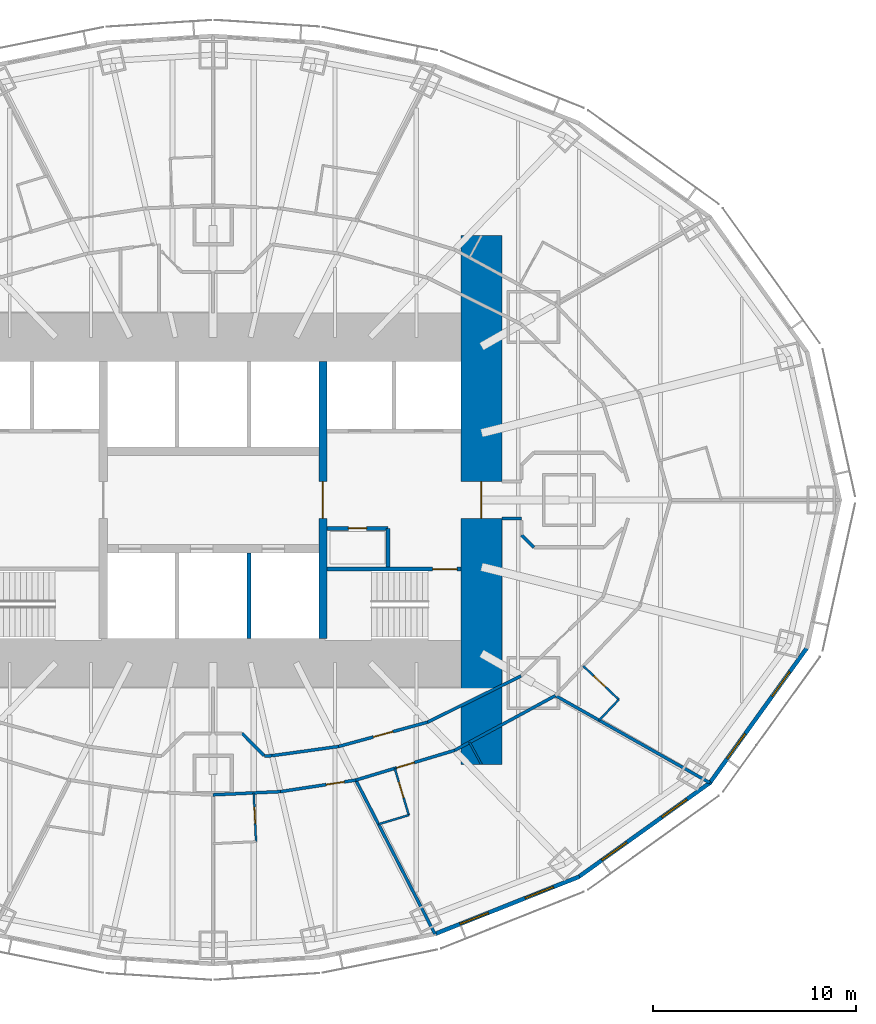
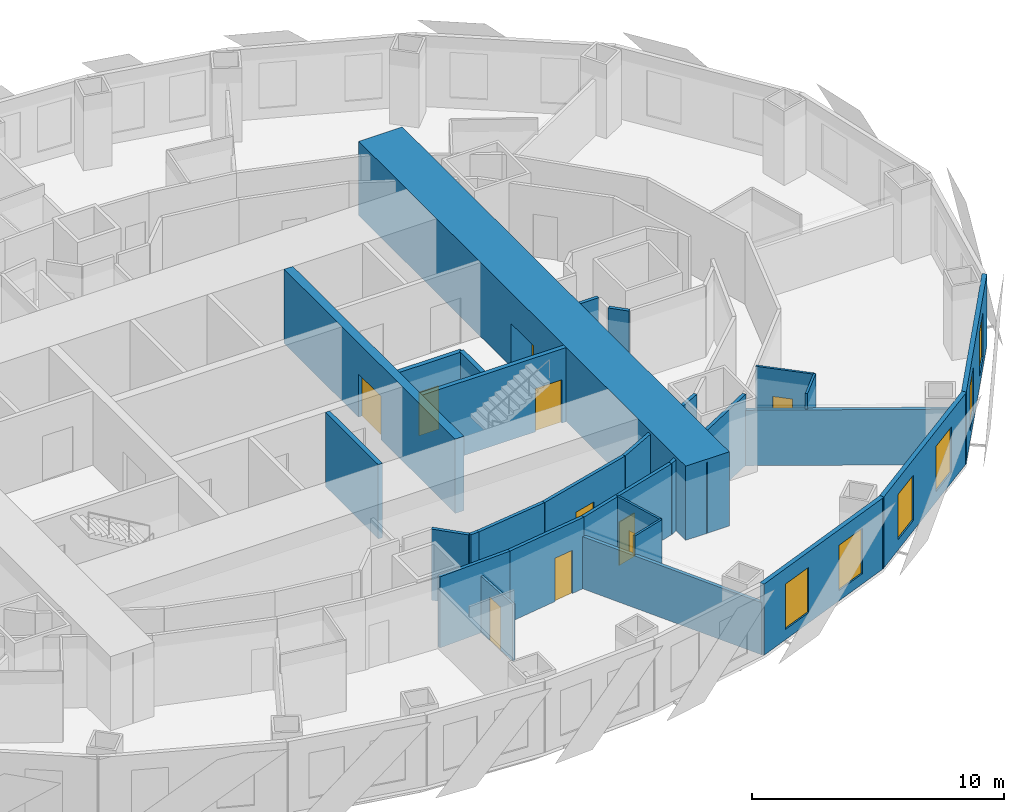
# One storey, part 7 of 15: 28 walls, 10 doors, 6 windows, 16 openings.
"""IFC4 building model written with IfcOpenShell, lengths in metres."""

from ifc_helpers import new_model, si_unit, direction, frame, frame_2d, origin, place, context, subcontext, project, spatial, rectangle, extrude, material, layer, layer_set, type_object, element, fill, save


model = new_model("IFC4")

# Units and contexts
model_context = context("Model", 3, precision=1e-05, world=origin(), true_north=direction((0.0, 1.0)))
body_context = subcontext(model_context, "Body", "Model", "MODEL_VIEW")
ifc_project = project(units=[si_unit("LENGTHUNIT", "METRE"), si_unit("AREAUNIT", "SQUARE_METRE"), si_unit("VOLUMEUNIT", "CUBIC_METRE"), si_unit("PLANEANGLEUNIT", "RADIAN"), si_unit("MASSUNIT", "GRAM", prefix="KILO")], contexts=[model_context])

# Site, building, storey
site_placement = place(None, origin())
site = spatial("IfcSite", under=ifc_project, at=site_placement, CompositionType="ELEMENT")
building_placement = place(site_placement, origin())
building = spatial("IfcBuilding", under=site, at=building_placement, Name="Lantaw Convention Tower", CompositionType="ELEMENT")
storey_placement = place(building_placement, frame((0.0, 0.0, 91.0)))
storey = spatial("IfcBuildingStorey", under=building, at=storey_placement, Name="L21", CompositionType="ELEMENT", Elevation=91.0)

# Wall, opening, door
ifc_material_1 = material(Name="Moisture resistant gypsum board on steel studs", Category="steel")
ifc_layer_1 = layer(ifc_material_1, 0.10009765625)
ifc_layer_set_1 = layer_set([ifc_layer_1], Name="Bathroom wall 100")
wall_type_1 = type_object("IfcWallType", Name="Bathroom wall 100", PredefinedType="PARTITIONING", material=ifc_layer_set_1)
wall_1_placement = place(storey_placement, frame((1.997802734375, -14.40478515625, 0.0), z_axis=(0.0, 0.0, 1.0), x_axis=(0.047608648396, -0.998866065395, 0.0)))
wall_1 = element("IfcWall", 1, at=wall_1_placement, inside=storey, type_object=wall_type_1, Name="Bathroom wall 100", PredefinedType="PARTITIONING", context=body_context, shape_type="SweptSolid", body=[
    extrude(rectangle(XDim=2.39990234375, YDim=0.10009765625, at=frame_2d((1.199951171875, 0.0))), origin(), (0.0, 0.0, 1.0), 2.7490234375),
])
opening_1_placement = place(wall_1_placement, frame((0.699951171875, 0.0, 0.0)))
opening_1 = element("IfcOpeningElement", 2, at=opening_1_placement, cuts=wall_1, Name="Opening L21.43", PredefinedType="OPENING", context=body_context, shape_type="SweptSolid", body=[
    extrude(rectangle(XDim=0.800048828125, YDim=2.10009765625, at=frame_2d((0.39990234375, 1.050048828125))), frame((0.0, 0.06005859375, 0.0), z_axis=(0.0, -1.0, 0.0), x_axis=(1.0, 0.0, 0.0)), (0.0, 0.0, 1.0), 0.1201171875),
])
ifc_material_2 = material(Name="Timber", Category="wood")
door_type_1 = type_object("IfcDoorType", Name="Bathroom door 800", OperationType="SINGLE_SWING_LEFT", PredefinedType="DOOR", material=ifc_material_2)
door_1_placement = place(opening_1_placement, origin())
door_1 = element("IfcDoor", 3, at=door_1_placement, inside=storey, type_object=door_type_1, Name="Bathroom door", OperationType="SINGLE_SWING_LEFT", OverallHeight=2.10009765625, OverallWidth=0.800048828125, PredefinedType="DOOR", context=body_context, shape_type="SweptSolid", body=[
    extrude(rectangle(XDim=0.800048828125, YDim=2.10009765625, at=frame_2d((0.39990234375, 1.050048828125))), frame((0.0, 0.02490234375, 0.0), z_axis=(0.0, -1.0, 0.0), x_axis=(1.0, 0.0, 0.0)), (0.0, 0.0, 1.0), 0.050048828125),
])
fill(opening_1, door_1)

wall_2_placement = place(storey_placement, frame((8.9345703125, -13.199951171875, 0.0), z_axis=(0.0, 0.0, 1.0), x_axis=(0.288197066254, -0.957571120598, 0.0)))
wall_2 = element("IfcWall", 4, at=wall_2_placement, inside=storey, type_object=wall_type_1, Name="Bathroom wall 100", PredefinedType="PARTITIONING", context=body_context, shape_type="SweptSolid", body=[
    extrude(rectangle(XDim=2.39990234375, YDim=0.10009765625, at=frame_2d((1.199951171875, 0.0))), origin(), (0.0, 0.0, 1.0), 3.449951171875),
])
opening_2_placement = place(wall_2_placement, frame((0.699951171875, 0.0, 0.0)))
opening_2 = element("IfcOpeningElement", 5, at=opening_2_placement, cuts=wall_2, Name="Opening L21.45", PredefinedType="OPENING", context=body_context, shape_type="SweptSolid", body=[
    extrude(rectangle(XDim=0.800048828125, YDim=2.10009765625, at=frame_2d((0.39990234375, 1.050048828125))), frame((0.0, 0.06005859375, 0.0), z_axis=(0.0, -1.0, 0.0), x_axis=(1.0, 0.0, 0.0)), (0.0, 0.0, 1.0), 0.1201171875),
])
door_2_placement = place(opening_2_placement, origin())
door_2 = element("IfcDoor", 6, at=door_2_placement, inside=storey, type_object=door_type_1, Name="Bathroom door", OperationType="SINGLE_SWING_LEFT", OverallHeight=2.10009765625, OverallWidth=0.800048828125, PredefinedType="DOOR", context=body_context, shape_type="SweptSolid", body=[
    extrude(rectangle(XDim=0.800048828125, YDim=2.10009765625, at=frame_2d((0.39990234375, 1.050048828125))), frame((0.0, 0.02490234375, 0.0), z_axis=(0.0, -1.0, 0.0), x_axis=(1.0, 0.0, 0.0)), (0.0, 0.0, 1.0), 0.050048828125),
])
fill(opening_2, door_2)

# Wall
wall_3_placement = place(storey_placement, frame((9.626220703125, -15.498046875, 0.0), z_axis=(0.0, 0.0, 1.0), x_axis=(-0.957551231109, -0.288263143328, 0.0)))
element("IfcWall", 7, at=wall_3_placement, inside=storey, type_object=wall_type_1, Name="Bathroom wall 100", PredefinedType="PARTITIONING", context=body_context, shape_type="SweptSolid", body=[
    extrude(rectangle(XDim=1.56591796875, YDim=0.10009765625, at=frame_2d((0.782958984375, 0.0))), origin(), (0.0, 0.0, 1.0), 3.449951171875),
])

# Wall, opening, door
wall_4_placement = place(storey_placement, frame((18.209228515625, -8.166748046875, 0.0), z_axis=(0.0, 0.0, 1.0), x_axis=(0.726567238928, -0.687095369885, 0.0)))
wall_4 = element("IfcWall", 8, at=wall_4_placement, inside=storey, type_object=wall_type_1, Name="Bathroom wall 100", PredefinedType="PARTITIONING", context=body_context, shape_type="SweptSolid", body=[
    extrude(rectangle(XDim=2.39990234375, YDim=0.10009765625, at=frame_2d((1.199951171875, 0.0))), origin(), (0.0, 0.0, 1.0), 3.449951171875),
])
opening_3_placement = place(wall_4_placement, frame((0.699951171875, 0.0, 0.0)))
opening_3 = element("IfcOpeningElement", 9, at=opening_3_placement, cuts=wall_4, Name="Opening L21.47", PredefinedType="OPENING", context=body_context, shape_type="SweptSolid", body=[
    extrude(rectangle(XDim=0.800048828125, YDim=2.10009765625, at=frame_2d((0.39990234375, 1.050048828125))), frame((0.0, 0.06005859375, 0.0), z_axis=(0.0, -1.0, 0.0), x_axis=(1.0, 0.0, 0.0)), (0.0, 0.0, 1.0), 0.1201171875),
])
door_3_placement = place(opening_3_placement, origin())
door_3 = element("IfcDoor", 10, at=door_3_placement, inside=storey, type_object=door_type_1, Name="Bathroom door", OperationType="SINGLE_SWING_LEFT", OverallHeight=2.10009765625, OverallWidth=0.800048828125, PredefinedType="DOOR", context=body_context, shape_type="SweptSolid", body=[
    extrude(rectangle(XDim=0.800048828125, YDim=2.10009765625, at=frame_2d((0.39990234375, 1.050048828125))), frame((0.0, 0.02490234375, 0.0), z_axis=(0.0, -1.0, 0.0), x_axis=(1.0, 0.0, 0.0)), (0.0, 0.0, 1.0), 0.050048828125),
])
fill(opening_3, door_3)

# Wall
wall_5_placement = place(storey_placement, frame((19.952880859375, -9.815673828125, 0.0), z_axis=(0.0, 0.0, 1.0), x_axis=(-0.687017997787, -0.726640399866, 0.0)))
element("IfcWall", 11, at=wall_5_placement, inside=storey, type_object=wall_type_1, Name="Bathroom wall 100", PredefinedType="PARTITIONING", context=body_context, shape_type="SweptSolid", body=[
    extrude(rectangle(XDim=1.417236328125, YDim=0.10009765625, at=frame_2d((0.70849609375, 0.0))), origin(), (0.0, 0.0, 1.0), 3.449951171875),
])

# Wall, opening, door
ifc_material_3 = material(Name="Concrete C60/75", Category="concrete")
ifc_layer_2 = layer(ifc_material_3, 0.199951171875)
ifc_layer_set_2 = layer_set([ifc_layer_2], Name="Core wall 200")
wall_type_2 = type_object("IfcWallType", Name="Core wall 200", PredefinedType="SHEAR", material=ifc_layer_set_2)
wall_6_placement = place(storey_placement, frame((5.60009765625, -3.39990234375, 0.0), z_axis=(0.0, 0.0, 1.0), x_axis=(1.0, 0.0, 0.0)))
wall_6 = element("IfcWall", 12, at=wall_6_placement, inside=storey, type_object=wall_type_2, Name="Core wall ES", PredefinedType="SHEAR", context=body_context, shape_type="SweptSolid", body=[
    extrude(rectangle(XDim=6.599853515625, YDim=0.199951171875, at=frame_2d((3.2998046875, 0.0))), origin(), (0.0, 0.0, 1.0), 3.60009765625),
])
opening_4_placement = place(wall_6_placement, frame((5.199951171875, 0.0, 0.0)))
opening_4 = element("IfcOpeningElement", 13, at=opening_4_placement, cuts=wall_6, Name="Opening L21.04", PredefinedType="OPENING", context=body_context, shape_type="SweptSolid", body=[
    extrude(rectangle(XDim=1.199951171875, YDim=2.10009765625, at=frame_2d((0.60009765625, 1.050048828125))), frame((0.0, 0.10986328125, 0.0), z_axis=(0.0, -1.0, 0.0), x_axis=(1.0, 0.0, 0.0)), (0.0, 0.0, 1.0), 0.219970703125),
])
ifc_material_4 = material(Name="Steel, fire rated", Category="steel")
door_type_2 = type_object("IfcDoorType", Name="Stair door FD90", OperationType="SINGLE_SWING_RIGHT", PredefinedType="DOOR", material=ifc_material_4)
door_4_placement = place(opening_4_placement, origin())
door_4 = element("IfcDoor", 14, at=door_4_placement, inside=storey, type_object=door_type_2, Name="Exit stair door", OperationType="SINGLE_SWING_RIGHT", OverallHeight=2.10009765625, OverallWidth=1.199951171875, PredefinedType="DOOR", context=body_context, shape_type="SweptSolid", body=[
    extrude(rectangle(XDim=1.199951171875, YDim=2.10009765625, at=frame_2d((0.60009765625, 1.050048828125))), frame((0.0, 0.02490234375, 0.0), z_axis=(0.0, -1.0, 0.0), x_axis=(1.0, 0.0, 0.0)), (0.0, 0.0, 1.0), 0.050048828125),
])
fill(opening_4, door_4)

ifc_layer_3 = layer(ifc_material_3, 2.0)
ifc_layer_set_3 = layer_set([ifc_layer_3], Name="Core wall 2000")
wall_type_3 = type_object("IfcWallType", Name="Core wall 2000", PredefinedType="SHEAR", material=ifc_layer_set_3)
wall_7_placement = place(storey_placement, frame((13.199951171875, -13.0, 0.0), z_axis=(0.0, 0.0, 1.0), x_axis=(0.0, 1.0, 0.0)))
wall_7 = element("IfcWall", 15, at=wall_7_placement, inside=storey, type_object=wall_type_3, Name="Core wall E", PredefinedType="SHEAR", context=body_context, shape_type="SweptSolid", body=[
    extrude(rectangle(XDim=26.0, YDim=2.0, at=frame_2d((13.0, 0.0))), origin(), (0.0, 0.0, 1.0), 3.60009765625),
])
opening_5_placement = place(wall_7_placement, frame((12.10009765625, 0.0, 0.0)))
opening_5 = element("IfcOpeningElement", 16, at=opening_5_placement, cuts=wall_7, Name="Opening L21.06", PredefinedType="OPENING", context=body_context, shape_type="SweptSolid", body=[
    extrude(rectangle(XDim=1.800048828125, YDim=2.10009765625, at=frame_2d((0.89990234375, 1.050048828125))), frame((0.0, 1.010009765625, 0.0), z_axis=(0.0, -1.0, 0.0), x_axis=(1.0, 0.0, 0.0)), (0.0, 0.0, 1.0), 2.02001953125),
])
door_type_3 = type_object("IfcDoorType", Name="Lobby double door FD90", OperationType="DOUBLE_DOOR_DOUBLE_SWING", PredefinedType="DOOR", material=ifc_material_4)
door_5_placement = place(opening_5_placement, origin())
door_5 = element("IfcDoor", 17, at=door_5_placement, inside=storey, type_object=door_type_3, Name="Firefighting lobby door", OperationType="DOUBLE_DOOR_DOUBLE_SWING", OverallHeight=2.10009765625, OverallWidth=1.800048828125, PredefinedType="DOOR", context=body_context, shape_type="SweptSolid", body=[
    extrude(rectangle(XDim=1.800048828125, YDim=2.10009765625, at=frame_2d((0.89990234375, 1.050048828125))), frame((0.0, 0.02490234375, 0.0), z_axis=(0.0, -1.0, 0.0), x_axis=(1.0, 0.0, 0.0)), (0.0, 0.0, 1.0), 0.050048828125),
])
fill(opening_5, door_5)

ifc_layer_4 = layer(ifc_material_3, 0.39990234375)
ifc_layer_set_4 = layer_set([ifc_layer_4], Name="Core wall 400")
wall_type_4 = type_object("IfcWallType", Name="Core wall 400", PredefinedType="SHEAR", material=ifc_layer_set_4)
wall_8_placement = place(storey_placement, frame((5.39990234375, -6.800048828125, 0.0), z_axis=(0.0, 0.0, 1.0), x_axis=(0.0, 1.0, 0.0)))
wall_8 = element("IfcWall", 18, at=wall_8_placement, inside=storey, type_object=wall_type_4, Name="Core wall XE", PredefinedType="SHEAR", context=body_context, shape_type="SweptSolid", body=[
    extrude(rectangle(XDim=13.60009765625, YDim=0.39990234375, at=frame_2d((6.800048828125, 0.0))), origin(), (0.0, 0.0, 1.0), 3.60009765625),
])
opening_6_placement = place(wall_8_placement, frame((5.89990234375, 0.0, 0.0)))
opening_6 = element("IfcOpeningElement", 19, at=opening_6_placement, cuts=wall_8, Name="Opening L21.02", PredefinedType="OPENING", context=body_context, shape_type="SweptSolid", body=[
    extrude(rectangle(XDim=1.800048828125, YDim=2.10009765625, at=frame_2d((0.89990234375, 1.050048828125))), frame((0.0, 0.2099609375, 0.0), z_axis=(0.0, -1.0, 0.0), x_axis=(1.0, 0.0, 0.0)), (0.0, 0.0, 1.0), 0.419921875),
])
door_6_placement = place(opening_6_placement, origin())
door_6 = element("IfcDoor", 20, at=door_6_placement, inside=storey, type_object=door_type_3, Name="Lift lobby door", OperationType="DOUBLE_DOOR_DOUBLE_SWING", OverallHeight=2.10009765625, OverallWidth=1.800048828125, PredefinedType="DOOR", context=body_context, shape_type="SweptSolid", body=[
    extrude(rectangle(XDim=1.800048828125, YDim=2.10009765625, at=frame_2d((0.89990234375, 1.050048828125))), frame((0.0, 0.02490234375, 0.0), z_axis=(0.0, -1.0, 0.0), x_axis=(1.0, 0.0, 0.0)), (0.0, 0.0, 1.0), 0.050048828125),
])
fill(opening_6, door_6)

# Wall
ifc_material_5 = material(Name="Gypsum board on steel studs, fire rated", Category="steel")
ifc_layer_5 = layer(ifc_material_5, 0.14990234375)
ifc_layer_set_5 = layer_set([ifc_layer_5], Name="Corridor wall 150 EI 60")
wall_type_5 = type_object("IfcWallType", Name="Corridor wall 150 EI 60", PredefinedType="PARTITIONING", material=ifc_layer_set_5)
wall_9_placement = place(storey_placement, frame((0.0, -14.5, 0.0), z_axis=(0.0, 0.0, 1.0), x_axis=(0.998863968075, 0.047652631422, 0.0)))
element("IfcWall", 21, at=wall_9_placement, inside=storey, type_object=wall_type_5, Name="Corridor wall 150", PredefinedType="PARTITIONING", context=body_context, shape_type="SweptSolid", body=[
    extrude(rectangle(XDim=3.314697265625, YDim=0.14990234375, at=frame_2d((1.6572265625, 0.0))), origin(), (0.0, 0.0, 1.0), 3.449951171875),
])

# Wall, opening, door
wall_10_placement = place(storey_placement, frame((3.31103515625, -14.342041015625, 0.0), z_axis=(0.0, 0.0, 1.0), x_axis=(0.988564270062, 0.150800145746, 0.0)))
wall_10 = element("IfcWall", 22, at=wall_10_placement, inside=storey, type_object=wall_type_5, Name="Corridor wall 150", PredefinedType="PARTITIONING", context=body_context, shape_type="SweptSolid", body=[
    extrude(rectangle(XDim=3.751220703125, YDim=0.14990234375, at=frame_2d((1.87548828125, 0.0))), origin(), (0.0, 0.0, 1.0), 3.449951171875),
])
opening_7_placement = place(wall_10_placement, frame((2.27587890625, 0.0, 0.0)))
opening_7 = element("IfcOpeningElement", 23, at=opening_7_placement, cuts=wall_10, Name="Opening L21.44", PredefinedType="OPENING", context=body_context, shape_type="SweptSolid", body=[
    extrude(rectangle(XDim=0.89990234375, YDim=2.10009765625, at=frame_2d((0.449951171875, 1.050048828125))), frame((0.0, 0.0849609375, 0.0), z_axis=(0.0, -1.0, 0.0), x_axis=(1.0, 0.0, 0.0)), (0.0, 0.0, 1.0), 0.169921875),
])
door_type_4 = type_object("IfcDoorType", Name="Guest room entrance door FD30S", OperationType="SINGLE_SWING_LEFT", PredefinedType="DOOR", material=ifc_material_4)
door_7_placement = place(opening_7_placement, origin())
door_7 = element("IfcDoor", 24, at=door_7_placement, inside=storey, type_object=door_type_4, Name="Junior suite entrance door", OperationType="SINGLE_SWING_LEFT", OverallHeight=2.10009765625, OverallWidth=0.89990234375, PredefinedType="DOOR", context=body_context, shape_type="SweptSolid", body=[
    extrude(rectangle(XDim=0.89990234375, YDim=2.10009765625, at=frame_2d((0.449951171875, 1.050048828125))), frame((0.0, 0.02490234375, 0.0), z_axis=(0.0, -1.0, 0.0), x_axis=(1.0, 0.0, 0.0)), (0.0, 0.0, 1.0), 0.050048828125),
])
fill(opening_7, door_7)

wall_11_placement = place(storey_placement, frame((7.019287109375, -13.7763671875, 0.0), z_axis=(0.0, 0.0, 1.0), x_axis=(0.957564241242, 0.288219922793, 0.0)))
wall_11 = element("IfcWall", 25, at=wall_11_placement, inside=storey, type_object=wall_type_5, Name="Corridor wall 150", PredefinedType="PARTITIONING", context=body_context, shape_type="SweptSolid", body=[
    extrude(rectangle(XDim=5.0849609375, YDim=0.14990234375, at=frame_2d((2.54248046875, 0.0))), origin(), (0.0, 0.0, 1.0), 3.449951171875),
])
opening_8_placement = place(wall_11_placement, frame((2.10009765625, 0.0, 0.0)))
opening_8 = element("IfcOpeningElement", 26, at=opening_8_placement, cuts=wall_11, Name="Opening L21.46", PredefinedType="OPENING", context=body_context, shape_type="SweptSolid", body=[
    extrude(rectangle(XDim=0.89990234375, YDim=2.10009765625, at=frame_2d((0.449951171875, 1.050048828125))), frame((0.0, 0.0849609375, 0.0), z_axis=(0.0, -1.0, 0.0), x_axis=(1.0, 0.0, 0.0)), (0.0, 0.0, 1.0), 0.169921875),
])
door_8_placement = place(opening_8_placement, origin())
door_8 = element("IfcDoor", 27, at=door_8_placement, inside=storey, type_object=door_type_4, Name="Junior suite entrance door", OperationType="SINGLE_SWING_LEFT", OverallHeight=2.10009765625, OverallWidth=0.89990234375, PredefinedType="DOOR", context=body_context, shape_type="SweptSolid", body=[
    extrude(rectangle(XDim=0.89990234375, YDim=2.10009765625, at=frame_2d((0.449951171875, 1.050048828125))), frame((0.0, 0.02490234375, 0.0), z_axis=(0.0, -1.0, 0.0), x_axis=(1.0, 0.0, 0.0)), (0.0, 0.0, 1.0), 0.050048828125),
])
fill(opening_8, door_8)

# Walls
wall_12_placement = place(storey_placement, frame((11.888427734375, -12.310791015625, 0.0), z_axis=(0.0, 0.0, 1.0), x_axis=(0.878450059298, 0.477834169267, 0.0)))
element("IfcWall", 28, at=wall_12_placement, inside=storey, type_object=wall_type_5, Name="Corridor wall 150", PredefinedType="PARTITIONING", context=body_context, shape_type="SweptSolid", body=[
    extrude(rectangle(XDim=5.630859375, YDim=0.14990234375, at=frame_2d((2.8154296875, 0.0))), origin(), (0.0, 0.0, 1.0), 3.449951171875),
])
wall_13_placement = place(storey_placement, frame((2.903076171875, -12.574462890625, 0.0), z_axis=(0.0, 0.0, 1.0), x_axis=(0.990563451353, 0.137054911782, 0.0)))
element("IfcWall", 29, at=wall_13_placement, inside=storey, type_object=wall_type_5, Name="Corridor wall 150", PredefinedType="PARTITIONING", context=body_context, shape_type="SweptSolid", body=[
    extrude(rectangle(XDim=3.304443359375, YDim=0.14990234375, at=frame_2d((1.65234375, 0.0))), origin(), (0.0, 0.0, 1.0), 3.449951171875),
])

# Wall, opening, door
wall_14_placement = place(storey_placement, frame((6.17626953125, -12.12158203125, 0.0), z_axis=(0.0, 0.0, 1.0), x_axis=(0.964644466646, 0.263554648923, 0.0)))
wall_14 = element("IfcWall", 30, at=wall_14_placement, inside=storey, type_object=wall_type_5, Name="Corridor wall 150", PredefinedType="PARTITIONING", context=body_context, shape_type="SweptSolid", body=[
    extrude(rectangle(XDim=4.535400390625, YDim=0.14990234375, at=frame_2d((2.267578125, 0.0))), origin(), (0.0, 0.0, 1.0), 3.449951171875),
])
opening_9_placement = place(wall_14_placement, frame((1.767578125, 0.0, 0.0)))
opening_9 = element("IfcOpeningElement", 31, at=opening_9_placement, cuts=wall_14, Name="Opening L21.23", PredefinedType="OPENING", context=body_context, shape_type="SweptSolid", body=[
    extrude(rectangle(XDim=1.0, YDim=2.10009765625, at=frame_2d((0.5, 1.050048828125))), frame((0.0, 0.0849609375, 0.0), z_axis=(0.0, -1.0, 0.0), x_axis=(1.0, 0.0, 0.0)), (0.0, 0.0, 1.0), 0.169921875),
])
door_type_5 = type_object("IfcDoorType", Name="Service door 1000 FD30", OperationType="SINGLE_SWING_LEFT", PredefinedType="DOOR", material=ifc_material_4)
door_9_placement = place(opening_9_placement, origin())
door_9 = element("IfcDoor", 32, at=door_9_placement, inside=storey, type_object=door_type_5, Name="Room service pantry door", OperationType="SINGLE_SWING_LEFT", OverallHeight=2.10009765625, OverallWidth=1.0, PredefinedType="DOOR", context=body_context, shape_type="SweptSolid", body=[
    extrude(rectangle(XDim=1.0, YDim=2.10009765625, at=frame_2d((0.5, 1.050048828125))), frame((0.0, 0.02490234375, 0.0), z_axis=(0.0, -1.0, 0.0), x_axis=(1.0, 0.0, 0.0)), (0.0, 0.0, 1.0), 0.050048828125),
])
fill(opening_9, door_9)

# Walls
wall_15_placement = place(storey_placement, frame((10.55126953125, -10.92626953125, 0.0), z_axis=(0.0, 0.0, 1.0), x_axis=(0.89656943448, 0.442903205177, 0.0)))
element("IfcWall", 33, at=wall_15_placement, inside=storey, type_object=wall_type_5, Name="Corridor wall 150", PredefinedType="PARTITIONING", context=body_context, shape_type="SweptSolid", body=[
    extrude(rectangle(XDim=5.12646484375, YDim=0.14990234375, at=frame_2d((2.563232421875, 0.0))), origin(), (0.0, 0.0, 1.0), 3.449951171875),
])
wall_16_placement = place(storey_placement, frame((2.537109375, -12.59033203125, 0.0), z_axis=(0.0, 0.0, 1.0), x_axis=(0.999061181733, 0.04332153223, 0.0)))
element("IfcWall", 34, at=wall_16_placement, inside=storey, type_object=wall_type_5, Name="Corridor wall 150", PredefinedType="PARTITIONING", context=body_context, shape_type="SweptSolid", body=[
    extrude(rectangle(XDim=0.3662109375, YDim=0.14990234375, at=frame_2d((0.18310546875, 0.0))), origin(), (0.0, 0.0, 1.0), 3.449951171875),
])
wall_17_placement = place(storey_placement, frame((1.424560546875, -11.47509765625, 0.0), z_axis=(0.0, 0.0, 1.0), x_axis=(0.701622806479, -0.712548550927, 0.0)))
element("IfcWall", 35, at=wall_17_placement, inside=storey, type_object=wall_type_5, Name="Corridor wall 150", PredefinedType="PARTITIONING", context=body_context, shape_type="SweptSolid", body=[
    extrude(rectangle(XDim=1.541748046875, YDim=0.14990234375, at=frame_2d((0.77099609375, 0.0))), origin(), (0.0, 0.0, 1.0), 3.449951171875),
])
wall_18_placement = place(storey_placement, frame((14.199951171875, -0.89990234375, 0.0), z_axis=(0.0, 0.0, 1.0), x_axis=(1.0, 0.0, 0.0)))
element("IfcWall", 36, at=wall_18_placement, inside=storey, type_object=wall_type_5, Name="Corridor wall 150", PredefinedType="PARTITIONING", context=body_context, shape_type="SweptSolid", body=[
    extrude(rectangle(XDim=0.965087890625, YDim=0.14990234375, at=frame_2d((0.482421875, 0.0))), origin(), (0.0, 0.0, 1.0), 3.449951171875),
])
wall_19_placement = place(storey_placement, frame((15.775390625, -2.324951171875, 0.0), z_axis=(0.0, 0.0, 1.0), x_axis=(-0.707106781187, 0.707106781187, 0.0)))
element("IfcWall", 37, at=wall_19_placement, inside=storey, type_object=wall_type_5, Name="Corridor wall 150", PredefinedType="PARTITIONING", context=body_context, shape_type="SweptSolid", body=[
    extrude(rectangle(XDim=0.84912109375, YDim=0.14990234375, at=frame_2d((0.424560546875, 0.0))), origin(), (0.0, 0.0, 1.0), 3.449951171875),
])

# Wall, openings, windows
ifc_material_6 = material(Name="Insulated aluminium panel on steel frame", Category="steel")
ifc_layer_6 = layer(ifc_material_6, 0.199951171875)
ifc_layer_set_6 = layer_set([ifc_layer_6], Name="External wall 200")
wall_type_6 = type_object("IfcWallType", Name="External wall 200", PredefinedType="SOLIDWALL", material=ifc_layer_set_6)
wall_20_placement = place(storey_placement, frame((10.869384765625, -21.362548828125, 0.0), z_axis=(0.0, 0.0, 1.0), x_axis=(0.929358351251, 0.369178892895, 0.0)))
wall_20 = element("IfcWall", 38, at=wall_20_placement, inside=storey, type_object=wall_type_6, Name="Facade panel wall", PredefinedType="SOLIDWALL", context=body_context, shape_type="SweptSolid", body=[
    extrude(rectangle(XDim=7.6923828125, YDim=0.199951171875, at=frame_2d((3.84619140625, 0.0))), origin(), (0.0, 0.0, 1.0), 3.449951171875),
])
opening_10_placement = place(wall_20_placement, frame((1.373046875, 0.0, 0.5)))
opening_10 = element("IfcOpeningElement", 39, at=opening_10_placement, cuts=wall_20, Name="Opening W2", PredefinedType="OPENING", context=body_context, shape_type="SweptSolid", body=[
    extrude(rectangle(XDim=1.5, YDim=2.199951171875, at=frame_2d((0.75, 1.10009765625))), frame((0.0, 0.10986328125, 0.0), z_axis=(0.0, -1.0, 0.0), x_axis=(1.0, 0.0, 0.0)), (0.0, 0.0, 1.0), 0.219970703125),
])
opening_11_placement = place(wall_20_placement, frame((4.819091796875, 0.0, 0.5)))
opening_11 = element("IfcOpeningElement", 40, at=opening_11_placement, cuts=wall_20, Name="Opening W2", PredefinedType="OPENING", context=body_context, shape_type="SweptSolid", body=[
    extrude(rectangle(XDim=1.5, YDim=2.199951171875, at=frame_2d((0.75, 1.10009765625))), frame((0.0, 0.10986328125, 0.0), z_axis=(0.0, -1.0, 0.0), x_axis=(1.0, 0.0, 0.0)), (0.0, 0.0, 1.0), 0.219970703125),
])
ifc_material_7 = material(Name="Aluminium frame, clear insulating glass", Category="aluminium")
window_type = type_object("IfcWindowType", Name="Suite window 1500x2200", PartitioningType="SINGLE_PANEL", PredefinedType="WINDOW", material=ifc_material_7)
window_1_placement = place(opening_10_placement, origin())
window_1 = element("IfcWindow", 41, at=window_1_placement, inside=storey, type_object=window_type, Name="Guest room window", OverallHeight=2.199951171875, OverallWidth=1.5, PartitioningType="SINGLE_PANEL", PredefinedType="WINDOW", context=body_context, shape_type="SweptSolid", body=[
    extrude(rectangle(XDim=1.5, YDim=2.199951171875, at=frame_2d((0.75, 1.10009765625))), frame((0.0, 0.030029296875, 0.0), z_axis=(0.0, -1.0, 0.0), x_axis=(1.0, 0.0, 0.0)), (0.0, 0.0, 1.0), 0.06005859375),
])
fill(opening_10, window_1)
window_2_placement = place(opening_11_placement, origin())
window_2 = element("IfcWindow", 42, at=window_2_placement, inside=storey, type_object=window_type, Name="Guest room window", OverallHeight=2.199951171875, OverallWidth=1.5, PartitioningType="SINGLE_PANEL", PredefinedType="WINDOW", context=body_context, shape_type="SweptSolid", body=[
    extrude(rectangle(XDim=1.5, YDim=2.199951171875, at=frame_2d((0.75, 1.10009765625))), frame((0.0, 0.030029296875, 0.0), z_axis=(0.0, -1.0, 0.0), x_axis=(1.0, 0.0, 0.0)), (0.0, 0.0, 1.0), 0.06005859375),
])
fill(opening_11, window_2)

wall_21_placement = place(storey_placement, frame((17.9287109375, -18.57177734375, 0.0), z_axis=(0.0, 0.0, 1.0), x_axis=(0.812791321576, 0.582554948112, 0.0)))
wall_21 = element("IfcWall", 43, at=wall_21_placement, inside=storey, type_object=wall_type_6, Name="Facade panel wall", PredefinedType="SOLIDWALL", context=body_context, shape_type="SweptSolid", body=[
    extrude(rectangle(XDim=8.063232421875, YDim=0.199951171875, at=frame_2d((4.03173828125, 0.0))), origin(), (0.0, 0.0, 1.0), 3.449951171875),
])
opening_12_placement = place(wall_21_placement, frame((1.4658203125, 0.0, 0.5)))
opening_12 = element("IfcOpeningElement", 44, at=opening_12_placement, cuts=wall_21, Name="Opening W2", PredefinedType="OPENING", context=body_context, shape_type="SweptSolid", body=[
    extrude(rectangle(XDim=1.5, YDim=2.199951171875, at=frame_2d((0.75, 1.10009765625))), frame((0.0, 0.10986328125, 0.0), z_axis=(0.0, -1.0, 0.0), x_axis=(1.0, 0.0, 0.0)), (0.0, 0.0, 1.0), 0.219970703125),
])
opening_13_placement = place(wall_21_placement, frame((5.097412109375, 0.0, 0.5)))
opening_13 = element("IfcOpeningElement", 45, at=opening_13_placement, cuts=wall_21, Name="Opening W2", PredefinedType="OPENING", context=body_context, shape_type="SweptSolid", body=[
    extrude(rectangle(XDim=1.5, YDim=2.199951171875, at=frame_2d((0.75, 1.10009765625))), frame((0.0, 0.10986328125, 0.0), z_axis=(0.0, -1.0, 0.0), x_axis=(1.0, 0.0, 0.0)), (0.0, 0.0, 1.0), 0.219970703125),
])
window_3_placement = place(opening_12_placement, origin())
window_3 = element("IfcWindow", 46, at=window_3_placement, inside=storey, type_object=window_type, Name="Guest room window", OverallHeight=2.199951171875, OverallWidth=1.5, PartitioningType="SINGLE_PANEL", PredefinedType="WINDOW", context=body_context, shape_type="SweptSolid", body=[
    extrude(rectangle(XDim=1.5, YDim=2.199951171875, at=frame_2d((0.75, 1.10009765625))), frame((0.0, 0.030029296875, 0.0), z_axis=(0.0, -1.0, 0.0), x_axis=(1.0, 0.0, 0.0)), (0.0, 0.0, 1.0), 0.06005859375),
])
fill(opening_12, window_3)
window_4_placement = place(opening_13_placement, origin())
window_4 = element("IfcWindow", 47, at=window_4_placement, inside=storey, type_object=window_type, Name="Guest room window", OverallHeight=2.199951171875, OverallWidth=1.5, PartitioningType="SINGLE_PANEL", PredefinedType="WINDOW", context=body_context, shape_type="SweptSolid", body=[
    extrude(rectangle(XDim=1.5, YDim=2.199951171875, at=frame_2d((0.75, 1.10009765625))), frame((0.0, 0.030029296875, 0.0), z_axis=(0.0, -1.0, 0.0), x_axis=(1.0, 0.0, 0.0)), (0.0, 0.0, 1.0), 0.06005859375),
])
fill(opening_13, window_4)

wall_22_placement = place(storey_placement, frame((24.400390625, -13.95654296875, 0.0), z_axis=(0.0, 0.0, 1.0), x_axis=(0.583937613703, 0.811798536155, 0.0)))
wall_22 = element("IfcWall", 48, at=wall_22_placement, inside=storey, type_object=wall_type_6, Name="Facade panel wall", PredefinedType="SOLIDWALL", context=body_context, shape_type="SweptSolid", body=[
    extrude(rectangle(XDim=8.322998046875, YDim=0.199951171875, at=frame_2d((4.16162109375, 0.0))), origin(), (0.0, 0.0, 1.0), 3.449951171875),
])
opening_14_placement = place(wall_22_placement, frame((1.53076171875, 0.0, 0.5)))
opening_14 = element("IfcOpeningElement", 49, at=opening_14_placement, cuts=wall_22, Name="Opening W2", PredefinedType="OPENING", context=body_context, shape_type="SweptSolid", body=[
    extrude(rectangle(XDim=1.5, YDim=2.199951171875, at=frame_2d((0.75, 1.10009765625))), frame((0.0, 0.10986328125, 0.0), z_axis=(0.0, -1.0, 0.0), x_axis=(1.0, 0.0, 0.0)), (0.0, 0.0, 1.0), 0.219970703125),
])
opening_15_placement = place(wall_22_placement, frame((5.292236328125, 0.0, 0.5)))
opening_15 = element("IfcOpeningElement", 50, at=opening_15_placement, cuts=wall_22, Name="Opening W2", PredefinedType="OPENING", context=body_context, shape_type="SweptSolid", body=[
    extrude(rectangle(XDim=1.5, YDim=2.199951171875, at=frame_2d((0.75, 1.10009765625))), frame((0.0, 0.10986328125, 0.0), z_axis=(0.0, -1.0, 0.0), x_axis=(1.0, 0.0, 0.0)), (0.0, 0.0, 1.0), 0.219970703125),
])
window_5_placement = place(opening_14_placement, origin())
window_5 = element("IfcWindow", 51, at=window_5_placement, inside=storey, type_object=window_type, Name="Guest room window", OverallHeight=2.199951171875, OverallWidth=1.5, PartitioningType="SINGLE_PANEL", PredefinedType="WINDOW", context=body_context, shape_type="SweptSolid", body=[
    extrude(rectangle(XDim=1.5, YDim=2.199951171875, at=frame_2d((0.75, 1.10009765625))), frame((0.0, 0.030029296875, 0.0), z_axis=(0.0, -1.0, 0.0), x_axis=(1.0, 0.0, 0.0)), (0.0, 0.0, 1.0), 0.06005859375),
])
fill(opening_14, window_5)
window_6_placement = place(opening_15_placement, origin())
window_6 = element("IfcWindow", 52, at=window_6_placement, inside=storey, type_object=window_type, Name="Guest room window", OverallHeight=2.199951171875, OverallWidth=1.5, PartitioningType="SINGLE_PANEL", PredefinedType="WINDOW", context=body_context, shape_type="SweptSolid", body=[
    extrude(rectangle(XDim=1.5, YDim=2.199951171875, at=frame_2d((0.75, 1.10009765625))), frame((0.0, 0.030029296875, 0.0), z_axis=(0.0, -1.0, 0.0), x_axis=(1.0, 0.0, 0.0)), (0.0, 0.0, 1.0), 0.06005859375),
])
fill(opening_15, window_6)

# Walls
ifc_material_8 = material(Name="Gypsum board on steel studs, acoustic", Category="steel")
ifc_layer_7 = layer(ifc_material_8, 0.14990234375)
ifc_layer_set_7 = layer_set([ifc_layer_7], Name="Guest room party wall 150")
wall_type_7 = type_object("IfcWallType", Name="Guest room party wall 150", PredefinedType="PARTITIONING", material=ifc_layer_set_7)
wall_23_placement = place(storey_placement, frame((10.911865234375, -21.345703125, 0.0), z_axis=(0.0, 0.0, 1.0), x_axis=(-0.457327273085, 0.889298468059, 0.0)))
element("IfcWall", 53, at=wall_23_placement, inside=storey, type_object=wall_type_7, Name="Guest room party wall 150", PredefinedType="PARTITIONING", context=body_context, shape_type="SweptSolid", body=[
    extrude(rectangle(XDim=8.511474609375, YDim=0.14990234375, at=frame_2d((4.255859375, 0.0))), origin(), (0.0, 0.0, 1.0), 2.528076171875),
])
wall_24_placement = place(storey_placement, frame((24.434814453125, -13.90869140625, 0.0), z_axis=(0.0, 0.0, 1.0), x_axis=(-0.87090601027, 0.491449612143, 0.0)))
element("IfcWall", 54, at=wall_24_placement, inside=storey, type_object=wall_type_7, Name="Guest room party wall 150", PredefinedType="PARTITIONING", context=body_context, shape_type="SweptSolid", body=[
    extrude(rectangle(XDim=8.726318359375, YDim=0.14990234375, at=frame_2d((4.36328125, 0.0))), origin(), (0.0, 0.0, 1.0), 2.693115234375),
])
ifc_layer_8 = layer(ifc_material_8, 0.10009765625)
ifc_layer_set_8 = layer_set([ifc_layer_8], Name="Office partition 100")
wall_type_8 = type_object("IfcWallType", Name="Office partition 100", PredefinedType="PARTITIONING", material=ifc_layer_set_8)
wall_25_placement = place(storey_placement, frame((13.199951171875, -13.0, 0.0), z_axis=(0.0, 0.0, 1.0), x_axis=(-0.477852414256, 0.878440134665, 0.0)))
element("IfcWall", 55, at=wall_25_placement, inside=storey, type_object=wall_type_8, Name="Office partition 100", PredefinedType="PARTITIONING", context=body_context, shape_type="SweptSolid", body=[
    extrude(rectangle(XDim=1.232421875, YDim=0.10009765625, at=frame_2d((0.6162109375, 0.0))), origin(), (0.0, 0.0, 1.0), 3.449951171875),
])

# Wall, opening, door
ifc_material_9 = material(Name="Concrete blockwork, fire rated", Category="masonry")
ifc_layer_9 = layer(ifc_material_9, 0.199951171875)
ifc_layer_set_9 = layer_set([ifc_layer_9], Name="Plant room wall 200 EI 120")
wall_type_9 = type_object("IfcWallType", Name="Plant room wall 200 EI 120", PredefinedType="SOLIDWALL", material=ifc_layer_set_9)
wall_26_placement = place(storey_placement, frame((5.60009765625, -1.39990234375, 0.0), z_axis=(0.0, 0.0, 1.0), x_axis=(1.0, 0.0, 0.0)))
wall_26 = element("IfcWall", 56, at=wall_26_placement, inside=storey, type_object=wall_type_9, Name="Plant room wall 200", PredefinedType="SOLIDWALL", context=body_context, shape_type="SweptSolid", body=[
    extrude(rectangle(XDim=3.0, YDim=0.199951171875, at=frame_2d((1.5, 0.0))), origin(), (0.0, 0.0, 1.0), 3.449951171875),
])
opening_16_placement = place(wall_26_placement, frame((1.050048828125, 0.0, 0.0)))
opening_16 = element("IfcOpeningElement", 57, at=opening_16_placement, cuts=wall_26, Name="Opening L21.01", PredefinedType="OPENING", context=body_context, shape_type="SweptSolid", body=[
    extrude(rectangle(XDim=0.89990234375, YDim=2.10009765625, at=frame_2d((0.449951171875, 1.050048828125))), frame((0.0, 0.10986328125, 0.0), z_axis=(0.0, -1.0, 0.0), x_axis=(1.0, 0.0, 0.0)), (0.0, 0.0, 1.0), 0.219970703125),
])
door_type_6 = type_object("IfcDoorType", Name="Service door 900 FD60", OperationType="SINGLE_SWING_LEFT", PredefinedType="DOOR", material=ifc_material_4)
door_10_placement = place(opening_16_placement, origin())
door_10 = element("IfcDoor", 58, at=door_10_placement, inside=storey, type_object=door_type_6, Name="Staff WC door", OperationType="SINGLE_SWING_LEFT", OverallHeight=2.10009765625, OverallWidth=0.89990234375, PredefinedType="DOOR", context=body_context, shape_type="SweptSolid", body=[
    extrude(rectangle(XDim=0.89990234375, YDim=2.10009765625, at=frame_2d((0.449951171875, 1.050048828125))), frame((0.0, 0.02490234375, 0.0), z_axis=(0.0, -1.0, 0.0), x_axis=(1.0, 0.0, 0.0)), (0.0, 0.0, 1.0), 0.050048828125),
])
fill(opening_16, door_10)

# Walls
wall_27_placement = place(storey_placement, frame((8.60009765625, -1.39990234375, 0.0), z_axis=(0.0, 0.0, 1.0), x_axis=(0.0, -1.0, 0.0)))
element("IfcWall", 59, at=wall_27_placement, inside=storey, type_object=wall_type_9, Name="Plant room wall 200", PredefinedType="SOLIDWALL", context=body_context, shape_type="SweptSolid", body=[
    extrude(rectangle(XDim=1.900146484375, YDim=0.199951171875, at=frame_2d((0.9501953125, 0.0))), origin(), (0.0, 0.0, 1.0), 3.449951171875),
])
ifc_layer_10 = layer(ifc_material_9, 0.199951171875)
ifc_layer_set_10 = layer_set([ifc_layer_10], Name="Shaft wall 200 load-bearing")
wall_type_10 = type_object("IfcWallType", Name="Shaft wall 200 load-bearing", PredefinedType="SOLIDWALL", material=ifc_layer_set_10)
wall_28_placement = place(storey_placement, frame((1.7666015625, -2.60009765625, 0.0), z_axis=(0.0, 0.0, 1.0), x_axis=(0.0, -1.0, 0.0)))
element("IfcWall", 60, at=wall_28_placement, inside=storey, type_object=wall_type_10, Name="Shaft wall DS2", PredefinedType="SOLIDWALL", context=body_context, shape_type="SweptSolid", body=[
    extrude(rectangle(XDim=4.199951171875, YDim=0.199951171875, at=frame_2d((2.10009765625, 0.0))), origin(), (0.0, 0.0, 1.0), 3.60009765625),
])

save(model, "model.ifc")
